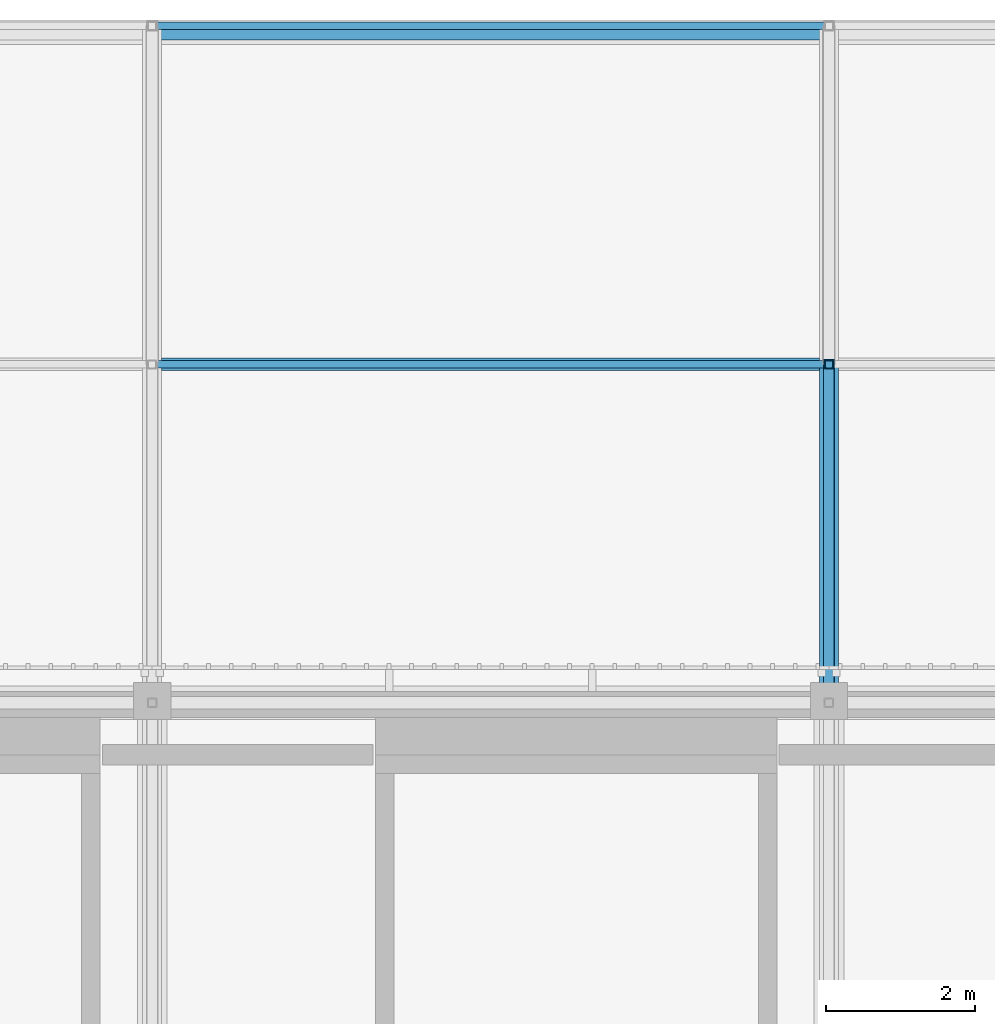
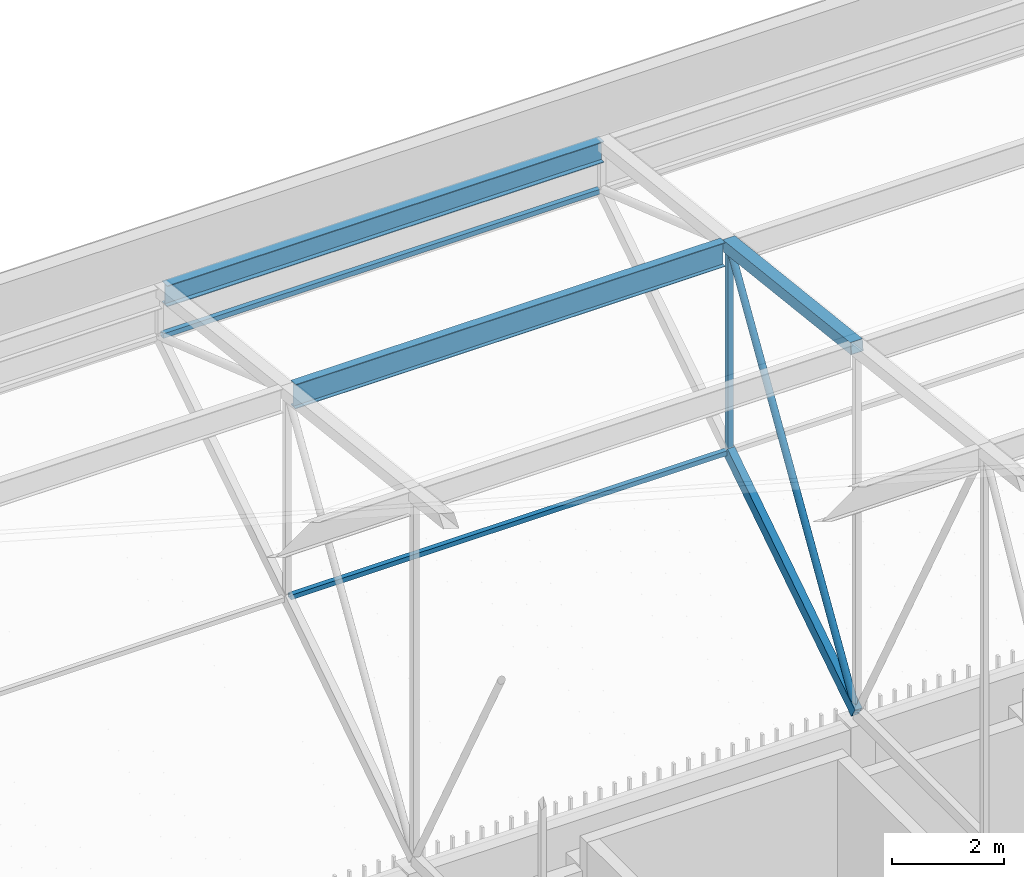
# One storey, part 403 of 500: 8 members.
"""IFC4 building model written with IfcOpenShell, lengths in metres."""

from ifc_helpers import new_model, si_unit, direction, frame, origin, origin_2d, place, context, subcontext, project, spatial, hollow_rectangle, hollow_circle, i_section, extrude, material, material_profile, profile_set, type_object, element, save


model = new_model("IFC4")

# Units and contexts
model_context = context("Model", 3, precision=1e-05, world=origin(), true_north=direction((0.0, 1.0)))
body_context = subcontext(model_context, "Body", "Model", "MODEL_VIEW")
ifc_project = project(units=[si_unit("LENGTHUNIT", "METRE"), si_unit("AREAUNIT", "SQUARE_METRE"), si_unit("VOLUMEUNIT", "CUBIC_METRE"), si_unit("PLANEANGLEUNIT", "RADIAN"), si_unit("MASSUNIT", "GRAM", prefix="KILO")], contexts=[model_context])

# Site, building, storey
site_placement = place(None, origin())
site = spatial("IfcSite", under=ifc_project, at=site_placement, CompositionType="ELEMENT")
building_placement = place(site_placement, origin())
building = spatial("IfcBuilding", under=site, at=building_placement, Name="Shirokan Park Arena", CompositionType="ELEMENT")
storey_placement = place(building_placement, frame((0.0, 0.0, 29.1201171875)))
storey = spatial("IfcBuildingStorey", under=building, at=storey_placement, Name="L06", CompositionType="ELEMENT", Elevation=29.1201171875)

# Members
ifc_material_1 = material(Name="Steel ASTM A500 Grade C", Category="steel")
ifc_material_profile_1 = material_profile(ifc_material_1, hollow_rectangle(XDim=0.152099609375, YDim=0.25390625, WallThickness=0.009521484375, at=origin_2d()), Name="HSS254X152.4X9.5")
ifc_profile_set_1 = profile_set([ifc_material_profile_1], Name="Steel ASTM A500 Grade C")
member_type_1 = type_object("IfcMemberType", Name="Bottom chord HSS254X152.4X9.5", PredefinedType="CHORD", material=ifc_profile_set_1)
member_1_placement = place(storey_placement, frame((127.39990234375, 109.199951171875, 4.677001953125), z_axis=(0.0, 0.840971691661, 0.541079119746), x_axis=(-1.0, 0.0, 0.0)))
element("IfcMember", 1, at=member_1_placement, inside=storey, type_object=member_type_1, Name="Truss T15 bottom chord 27", PredefinedType="CHORD", context=body_context, shape_type="SweptSolid", body=[
    extrude(hollow_rectangle(XDim=0.152099609375, YDim=0.25390625, WallThickness=0.009521484375, at=origin_2d()), origin(), (0.0, 0.0, 1.0), 5.410400390625),
])
ifc_material_profile_2 = material_profile(ifc_material_1, hollow_rectangle(XDim=0.10205078125, YDim=0.10205078125, WallThickness=0.00634765625, at=origin_2d()), Name="HSS101.6X101.6X6.4")
ifc_profile_set_2 = profile_set([ifc_material_profile_2], Name="Steel ASTM A500 Grade C")
member_type_2 = type_object("IfcMemberType", Name="Eave soffit rail HSS101.6X101.6X6.4", PredefinedType="USERDEFINED", material=ifc_profile_set_2)
for number, where, z_axis, x_axis, name in (
    (2, (118.35693359375, 118.300048828125, 10.531982421875), (1.0, 0.0, 0.0), (0.0, 1.0, 0.0), "Eave soffit rail N 29 bay 14"),
    (3, (118.35693359375, 113.75, 7.6044921875), (1.0, 0.0, 0.0), (0.0, 1.0, 0.0), "Eave soffit rail N 28 bay 14"),
):
    element("IfcMember", number, at=place(storey_placement, frame(where, z_axis=z_axis, x_axis=x_axis)), inside=storey, type_object=member_type_2, Name=name, ObjectType="EAVE SOFFIT RAIL", PredefinedType="USERDEFINED", context=body_context, shape_type="SweptSolid", body=[
        extrude(hollow_rectangle(XDim=0.10205078125, YDim=0.10205078125, WallThickness=0.00634765625, at=origin_2d()), origin(), (0.0, 0.0, 1.0), 8.986083984375),
    ])
ifc_material_2 = material(Name="Steel ASTM A992", Category="steel")
ifc_material_profile_3 = material_profile(ifc_material_2, i_section(OverallWidth=0.166015625, OverallDepth=0.528076171875, WebThickness=0.009765625, FlangeThickness=0.013671875, at=origin_2d()), Name="W530X74")
ifc_profile_set_3 = profile_set([ifc_material_profile_3], Name="Steel ASTM A992")
member_type_3 = type_object("IfcMemberType", Name="Purlin W530X74", PredefinedType="PURLIN", material=ifc_profile_set_3)
member_2_placement = place(storey_placement, frame((118.427001953125, 113.75, 11.9658203125), z_axis=(1.0, 0.0, 0.0), x_axis=(0.0, 1.0, 0.0)))
element("IfcMember", 4, at=member_2_placement, inside=storey, type_object=member_type_3, Name="Purlin 28 bay 14", PredefinedType="PURLIN", context=body_context, shape_type="SweptSolid", body=[
    extrude(i_section(OverallWidth=0.166015625, OverallDepth=0.528076171875, WebThickness=0.009765625, FlangeThickness=0.013671875, at=origin_2d()), origin(), (0.0, 0.0, 1.0), 8.845947265625),
])
ifc_material_profile_4 = material_profile(ifc_material_2, i_section(OverallWidth=0.19091796875, OverallDepth=0.45703125, WebThickness=0.009033203125, FlangeThickness=0.014404296875, at=origin_2d()), Name="W460X74")
ifc_profile_set_4 = profile_set([ifc_material_profile_4], Name="Steel ASTM A992")
member_type_4 = type_object("IfcMemberType", Name="Roof edge beam W460X74", PredefinedType="USERDEFINED", material=ifc_profile_set_4)
member_3_placement = place(storey_placement, frame((118.35693359375, 118.20458984375, 11.4814453125), z_axis=(1.0, 0.0, 0.0), x_axis=(0.0, 1.0, 0.0)))
element("IfcMember", 5, at=member_3_placement, inside=storey, type_object=member_type_4, Name="Roof edge beam N 15", ObjectType="ROOF EDGE BEAM", PredefinedType="USERDEFINED", context=body_context, shape_type="SweptSolid", body=[
    extrude(i_section(OverallWidth=0.19091796875, OverallDepth=0.45703125, WebThickness=0.009033203125, FlangeThickness=0.014404296875, at=origin_2d()), origin(), (0.0, 0.0, 1.0), 8.986083984375),
])
ifc_material_profile_5 = material_profile(ifc_material_1, hollow_rectangle(XDim=0.25390625, YDim=0.25390625, WallThickness=0.009521484375, at=origin_2d()), Name="HSS254X254X9.5")
ifc_profile_set_5 = profile_set([ifc_material_profile_5], Name="Steel ASTM A500 Grade C")
member_type_5 = type_object("IfcMemberType", Name="Top chord HSS254X254X9.5", PredefinedType="CHORD", material=ifc_profile_set_5)
member_4_placement = place(storey_placement, frame((127.39990234375, 109.199951171875, 12.622802734375), z_axis=(0.0, 0.993532328996, -0.113549598152), x_axis=(-1.0, 0.0, 0.0)))
element("IfcMember", 6, at=member_4_placement, inside=storey, type_object=member_type_5, Name="Truss T15 top chord 27", PredefinedType="CHORD", context=body_context, shape_type="SweptSolid", body=[
    extrude(hollow_rectangle(XDim=0.25390625, YDim=0.25390625, WallThickness=0.009521484375, at=origin_2d()), origin(), (0.0, 0.0, 1.0), 4.57958984375),
])
ifc_material_profile_6 = material_profile(ifc_material_1, hollow_circle(Radius=0.070556640625, WallThickness=0.006591796875, at=origin_2d()), Name="HSS141.3X6.6")
ifc_profile_set_6 = profile_set([ifc_material_profile_6], Name="Steel ASTM A500 Grade C")
member_type_6 = type_object("IfcMemberType", Name="Truss diagonal HSS141.3X6.6", PredefinedType="BRACE", material=ifc_profile_set_6)
member_5_placement = place(storey_placement, frame((127.39990234375, 109.199951171875, 4.677001953125), z_axis=(0.0, 0.522458847856, 0.852664501605), x_axis=(-1.0, 0.0, 0.0)))
element("IfcMember", 7, at=member_5_placement, inside=storey, type_object=member_type_6, Name="Truss T15 diagonal 27", PredefinedType="BRACE", context=body_context, shape_type="SweptSolid", body=[
    extrude(hollow_circle(Radius=0.070556640625, WallThickness=0.006591796875, at=origin_2d()), origin(), (0.0, 0.0, 1.0), 8.708984375),
])
ifc_material_profile_7 = material_profile(ifc_material_1, hollow_rectangle(XDim=0.114013671875, YDim=0.114013671875, WallThickness=0.00634765625, at=origin_2d()), Name="HSS114.3X114.3X6.4")
ifc_profile_set_7 = profile_set([ifc_material_profile_7], Name="Steel ASTM A500 Grade C")
member_type_7 = type_object("IfcMemberType", Name="Truss post HSS114.3X114.3X6.4", PredefinedType="POST", material=ifc_profile_set_7)
member_6_placement = place(storey_placement, frame((127.39990234375, 113.75, 7.6044921875), z_axis=(0.0, 0.0, 1.0), x_axis=(1.0, 0.0, 0.0)))
element("IfcMember", 8, at=member_6_placement, inside=storey, type_object=member_type_7, Name="Truss T15 post 28", PredefinedType="POST", context=body_context, shape_type="SweptSolid", body=[
    extrude(hollow_rectangle(XDim=0.114013671875, YDim=0.114013671875, WallThickness=0.00634765625, at=origin_2d()), origin(), (0.0, 0.0, 1.0), 4.498291015625),
])

save(model, "model.ifc")
